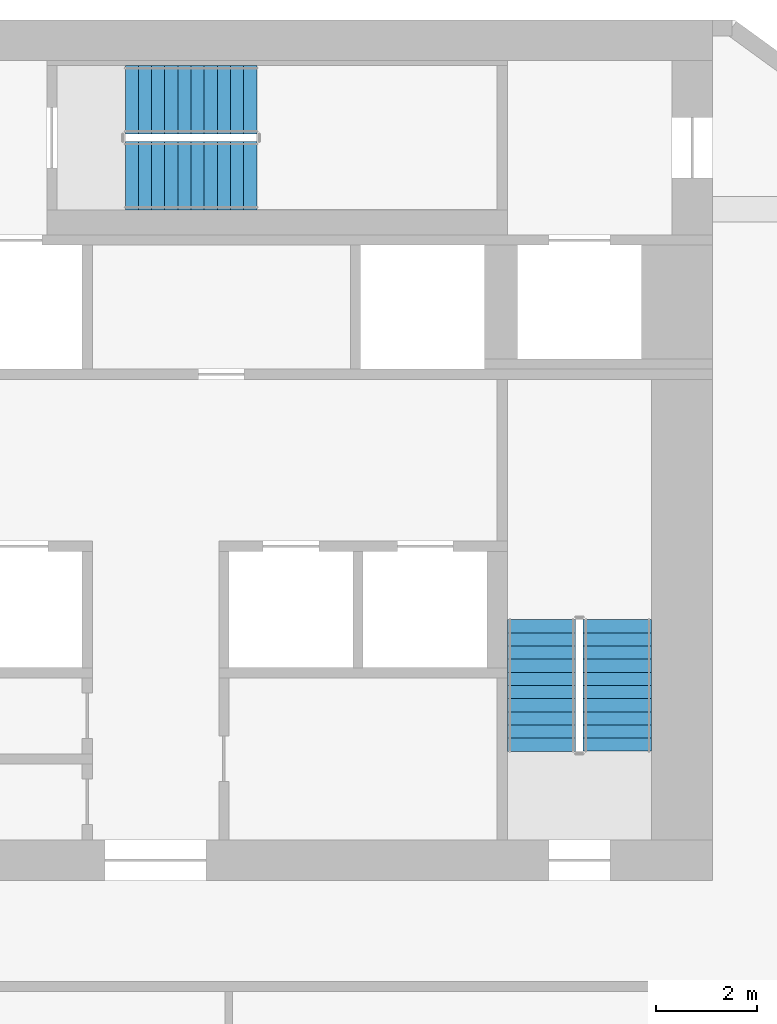
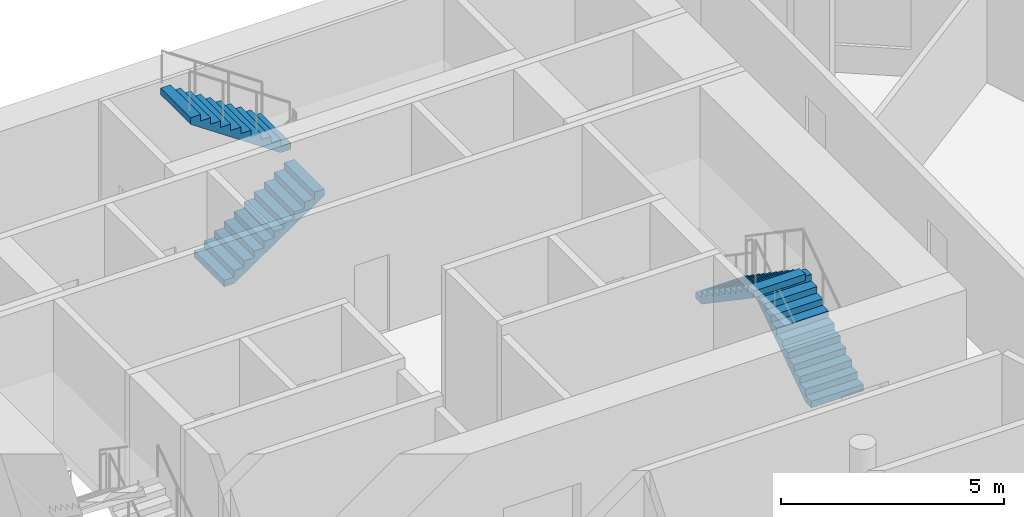
# One storey, part 7 of 9: 4 stair flights, 2 elements without a shape of their own.
"""IFC4 building model written with IfcOpenShell, lengths in metres."""

from ifc_helpers import new_model, si_unit, direction, frame, origin, place, context, subcontext, project, spatial, polyline, outline, extrude, material, layer, layer_set, type_object, element, aggregate, save


model = new_model("IFC4")

# Units and contexts
model_context = context("Model", 3, precision=1e-05, world=origin(), true_north=direction((0.0, 1.0)))
body_context = subcontext(model_context, "Body", "Model", "MODEL_VIEW")
ifc_project = project(units=[si_unit("LENGTHUNIT", "METRE"), si_unit("AREAUNIT", "SQUARE_METRE"), si_unit("VOLUMEUNIT", "CUBIC_METRE"), si_unit("PLANEANGLEUNIT", "RADIAN"), si_unit("MASSUNIT", "GRAM", prefix="KILO")], contexts=[model_context])

# Site, building, storey
site_placement = place(None, origin())
site = spatial("IfcSite", under=ifc_project, at=site_placement, CompositionType="ELEMENT")
building_placement = place(site_placement, origin())
building = spatial("IfcBuilding", under=site, at=building_placement, Name="White Candle Pilgrim Tower", CompositionType="ELEMENT")
storey_placement = place(building_placement, frame((0.0, 0.0, 200.39990234375)))
storey = spatial("IfcBuildingStorey", under=building, at=storey_placement, Name="L46", CompositionType="ELEMENT", Elevation=200.39990234375)

# Stair, stair flights
ifc_material = material(Name="Concrete C40/50", Category="concrete")
stair_type_1 = type_object("IfcStairType", Name="Exit stair 2 flight width 1350 mm", PredefinedType="HALF_TURN_STAIR", material=ifc_material)
stair_1_placement = place(storey_placement, origin())
stair_1 = element("IfcStair", 1, at=stair_1_placement, inside=storey, type_object=stair_type_1, Name="L46 stair 2", PredefinedType="NOTDEFINED")
ifc_layer = layer(ifc_material, 0.14990234375)
ifc_layer_set = layer_set([ifc_layer], Name="Stair flight Concrete C40/50")
stair_flight_type = type_object("IfcStairFlightType", Name="Stair flight Concrete C40/50", PredefinedType="STRAIGHT", material=ifc_layer_set)
stair_flight_1_placement = place(storey_placement, frame((79.125, 73.550048828125, 0.0), z_axis=(0.0, 0.0, 1.0), x_axis=(0.0, 1.0, 0.0)))
stair_flight_1 = element("IfcStairFlight", 2, at=stair_flight_1_placement, type_object=stair_flight_type, Name="ST2 flight 1", NumberOfRisers=11, NumberOfTreads=10, PredefinedType="NOTDEFINED", RiserHeight=0.177272727, TreadLength=0.26, context=body_context, shape_type="SweptSolid", body=[
    extrude(outline(polyline([(0.0, 0.0), (0.0, 0.17724609375), (0.260009765625, 0.17724609375), (0.260009765625, 0.3544921875), (0.52001953125, 0.3544921875), (0.52001953125, 0.53173828125), (0.780029296875, 0.53173828125), (0.780029296875, 0.708984375), (1.0400390625, 0.708984375), (1.0400390625, 0.886474609375), (1.300048828125, 0.886474609375), (1.300048828125, 1.063720703125), (1.56005859375, 1.063720703125), (1.56005859375, 1.240966796875), (1.820068359375, 1.240966796875), (1.820068359375, 1.418212890625), (2.080078125, 1.418212890625), (2.080078125, 1.595458984375), (2.340087890625, 1.595458984375), (2.340087890625, 1.772705078125), (2.60009765625, 1.772705078125), (2.60009765625, 1.949951171875), (2.60009765625, 1.59130859375), (0.26611328125, 0.0), (0.0, 0.0)])), frame((0.0, 0.675048828125, 0.0), z_axis=(0.0, -1.0, 0.0), x_axis=(1.0, 0.0, 0.0)), (0.0, 0.0, 1.0), 1.35009765625),
])
stair_flight_2_placement = place(storey_placement, frame((77.625, 76.14990234375, 1.9501953125), z_axis=(0.0, 0.0, 1.0), x_axis=(0.0, -1.0, 0.0)))
stair_flight_2 = element("IfcStairFlight", 3, at=stair_flight_2_placement, type_object=stair_flight_type, Name="ST2 flight 2", NumberOfRisers=11, NumberOfTreads=10, PredefinedType="NOTDEFINED", RiserHeight=0.177272727, TreadLength=0.26, context=body_context, shape_type="SweptSolid", body=[
    extrude(outline(polyline([(0.0, 0.0), (0.0, 0.17724609375), (0.260009765625, 0.17724609375), (0.260009765625, 0.3544921875), (0.52001953125, 0.3544921875), (0.52001953125, 0.53173828125), (0.780029296875, 0.53173828125), (0.780029296875, 0.708984375), (1.0400390625, 0.708984375), (1.0400390625, 0.886474609375), (1.300048828125, 0.886474609375), (1.300048828125, 1.063720703125), (1.56005859375, 1.063720703125), (1.56005859375, 1.240966796875), (1.820068359375, 1.240966796875), (1.820068359375, 1.418212890625), (2.080078125, 1.418212890625), (2.080078125, 1.595458984375), (2.340087890625, 1.595458984375), (2.340087890625, 1.772705078125), (2.60009765625, 1.772705078125), (2.60009765625, 1.949951171875), (2.60009765625, 1.59130859375), (0.26611328125, 0.0), (0.0, 0.0)])), frame((0.0, 0.675048828125, 0.0), z_axis=(0.0, -1.0, 0.0), x_axis=(1.0, 0.0, 0.0)), (0.0, 0.0, 1.0), 1.35009765625),
])
aggregate(stair_1, [stair_flight_1, stair_flight_2])

stair_type_2 = type_object("IfcStairType", Name="Exit stair 3 flight width 1350 mm", PredefinedType="HALF_TURN_STAIR", material=ifc_material)
stair_2_placement = place(storey_placement, origin())
stair_2 = element("IfcStair", 4, at=stair_2_placement, inside=storey, type_object=stair_type_2, Name="L46 stair 3", PredefinedType="NOTDEFINED")
stair_flight_3_placement = place(storey_placement, frame((69.39990234375, 84.925048828125, 0.0), z_axis=(0.0, 0.0, 1.0), x_axis=(1.0, 0.0, 0.0)))
stair_flight_3 = element("IfcStairFlight", 5, at=stair_flight_3_placement, type_object=stair_flight_type, Name="ST3 flight 1", NumberOfRisers=11, NumberOfTreads=10, PredefinedType="NOTDEFINED", RiserHeight=0.177272727, TreadLength=0.26, context=body_context, shape_type="SweptSolid", body=[
    extrude(outline(polyline([(0.0, 0.0), (0.0, 0.17724609375), (0.260009765625, 0.17724609375), (0.260009765625, 0.3544921875), (0.52001953125, 0.3544921875), (0.52001953125, 0.53173828125), (0.780029296875, 0.53173828125), (0.780029296875, 0.708984375), (1.0400390625, 0.708984375), (1.0400390625, 0.886474609375), (1.300048828125, 0.886474609375), (1.300048828125, 1.063720703125), (1.56005859375, 1.063720703125), (1.56005859375, 1.240966796875), (1.820068359375, 1.240966796875), (1.820068359375, 1.418212890625), (2.080078125, 1.418212890625), (2.080078125, 1.595458984375), (2.340087890625, 1.595458984375), (2.340087890625, 1.772705078125), (2.60009765625, 1.772705078125), (2.60009765625, 1.949951171875), (2.60009765625, 1.59130859375), (0.26611328125, 0.0), (0.0, 0.0)])), frame((0.0, 0.675048828125, 0.0), z_axis=(0.0, -1.0, 0.0), x_axis=(1.0, 0.0, 0.0)), (0.0, 0.0, 1.0), 1.35009765625),
])
stair_flight_4_placement = place(storey_placement, frame((72.0, 86.425048828125, 1.9501953125), z_axis=(0.0, 0.0, 1.0), x_axis=(-1.0, 0.0, 0.0)))
stair_flight_4 = element("IfcStairFlight", 6, at=stair_flight_4_placement, type_object=stair_flight_type, Name="ST3 flight 2", NumberOfRisers=11, NumberOfTreads=10, PredefinedType="NOTDEFINED", RiserHeight=0.177272727, TreadLength=0.26, context=body_context, shape_type="SweptSolid", body=[
    extrude(outline(polyline([(0.0, 0.0), (0.0, 0.17724609375), (0.260009765625, 0.17724609375), (0.260009765625, 0.3544921875), (0.52001953125, 0.3544921875), (0.52001953125, 0.53173828125), (0.780029296875, 0.53173828125), (0.780029296875, 0.708984375), (1.0400390625, 0.708984375), (1.0400390625, 0.886474609375), (1.300048828125, 0.886474609375), (1.300048828125, 1.063720703125), (1.56005859375, 1.063720703125), (1.56005859375, 1.240966796875), (1.820068359375, 1.240966796875), (1.820068359375, 1.418212890625), (2.080078125, 1.418212890625), (2.080078125, 1.595458984375), (2.340087890625, 1.595458984375), (2.340087890625, 1.772705078125), (2.60009765625, 1.772705078125), (2.60009765625, 1.949951171875), (2.60009765625, 1.59130859375), (0.26611328125, 0.0), (0.0, 0.0)])), frame((0.0, 0.675048828125, 0.0), z_axis=(0.0, -1.0, 0.0), x_axis=(1.0, 0.0, 0.0)), (0.0, 0.0, 1.0), 1.35009765625),
])
aggregate(stair_2, [stair_flight_3, stair_flight_4])

save(model, "model.ifc")
